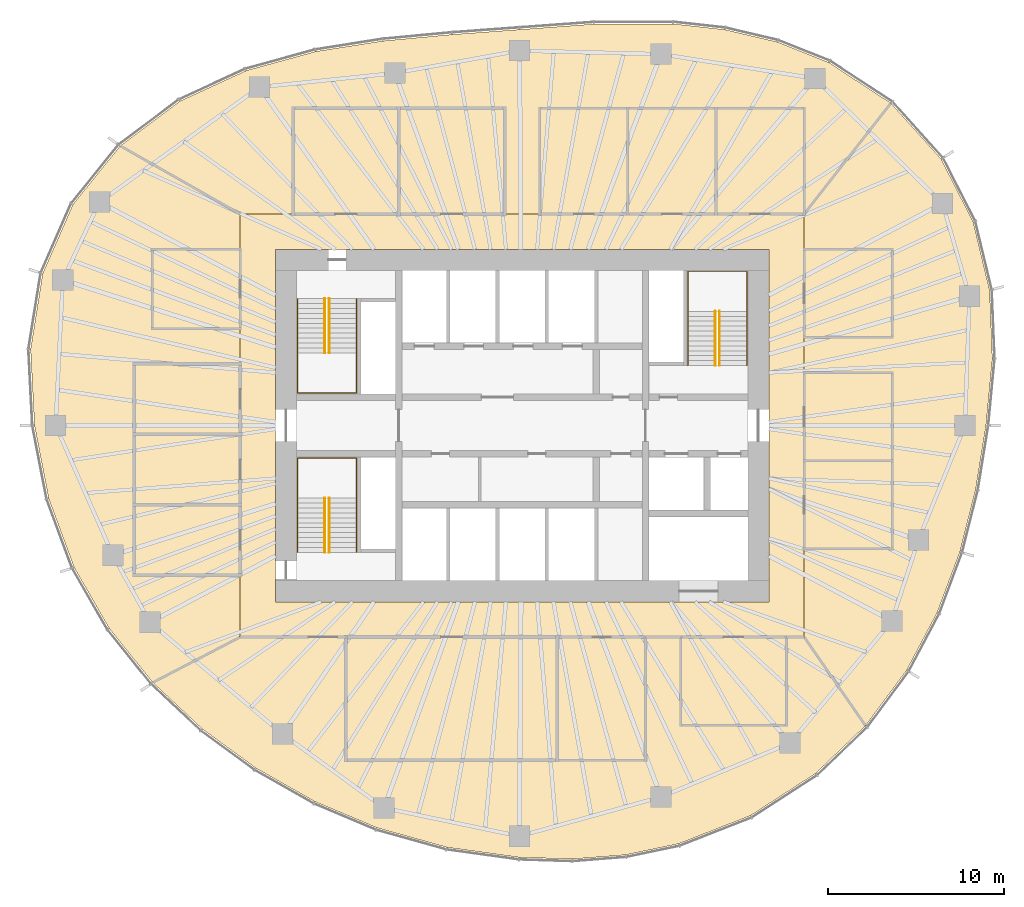
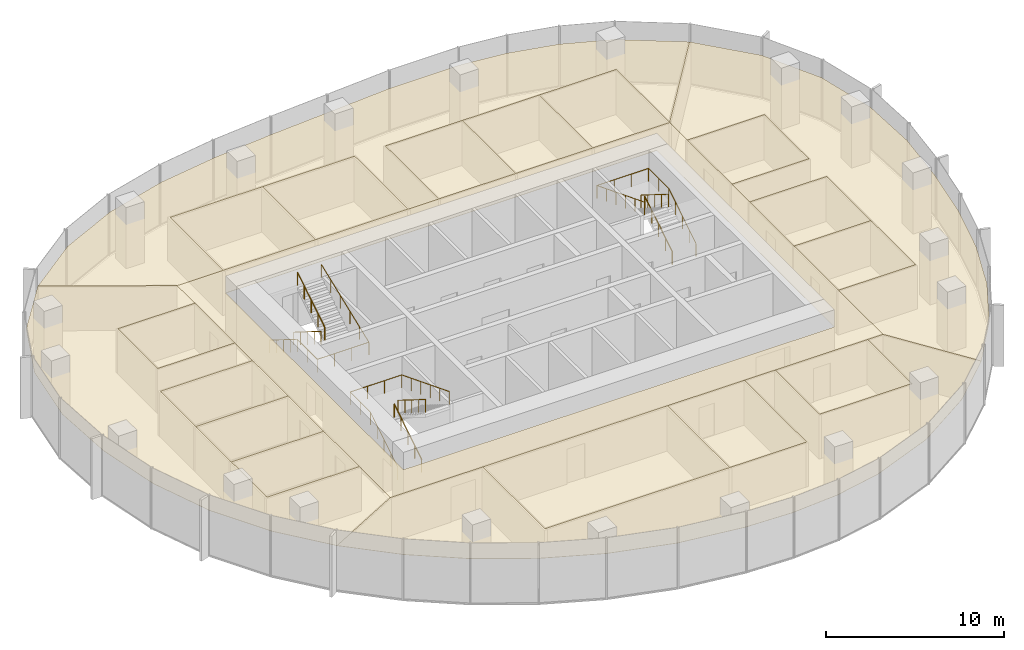
# One storey, part 11 of 11: 20 coverings, 9 railings.
"""IFC4 building model written with IfcOpenShell, lengths in metres."""

from ifc_helpers import new_model, si_unit, direction, frame, origin, origin_2d, place, context, subcontext, project, spatial, polyline, circle, outline, extrude, material, layer, layer_set, type_object, element, save


model = new_model("IFC4")

# Units and contexts
model_context = context("Model", 3, precision=1e-05, world=origin(), true_north=direction((0.0, 1.0)))
body_context = subcontext(model_context, "Body", "Model", "MODEL_VIEW")
ifc_project = project(units=[si_unit("LENGTHUNIT", "METRE"), si_unit("AREAUNIT", "SQUARE_METRE"), si_unit("VOLUMEUNIT", "CUBIC_METRE"), si_unit("PLANEANGLEUNIT", "RADIAN"), si_unit("MASSUNIT", "GRAM", prefix="KILO")], contexts=[model_context])

# Site, building, storey
site_placement = place(None, origin())
site = spatial("IfcSite", under=ifc_project, at=site_placement, CompositionType="ELEMENT")
building_placement = place(site_placement, origin())
building = spatial("IfcBuilding", under=site, at=building_placement, Name="Ghaith Harvest Tower", CompositionType="ELEMENT")
storey_placement = place(building_placement, frame((0.0, 0.0, 245.199951171875)))
storey = spatial("IfcBuildingStorey", under=building, at=storey_placement, Name="L54", CompositionType="ELEMENT", Elevation=245.199951171875)

# Coverings
ifc_material_1 = material(Name="Mineral fibre ceiling tile", Category="gypsum")
ifc_layer = layer(ifc_material_1, 0.02001953125)
ifc_layer_set = layer_set([ifc_layer], Name="CEILING C1")
covering_type = type_object("IfcCoveringType", Name="CEILING C1", PredefinedType="CEILING", material=ifc_layer_set)
covering_1_placement = place(storey_placement, frame((0.0, 0.0, 3.0)))
element("IfcCovering", 1, at=covering_1_placement, inside=storey, type_object=covering_type, Name="Ceiling L54-01", PredefinedType="CEILING", context=body_context, shape_type="SweptSolid", body=[
    extrude(outline(polyline([(-10.0, -19.0), (2.0, -19.0), (2.0, -12.0), (-10.0, -12.0), (-10.0, -19.0)])), origin(), (0.0, 0.0, 1.0), 0.02001953125),
])
covering_2_placement = place(storey_placement, frame((0.0, 0.0, 3.0)))
element("IfcCovering", 2, at=covering_2_placement, inside=storey, type_object=covering_type, Name="Ceiling L54-02", PredefinedType="CEILING", context=body_context, shape_type="SweptSolid", body=[
    extrude(outline(polyline([(2.0, -19.0), (7.0, -19.0), (7.0, -12.0), (2.0, -12.0), (2.0, -19.0)])), origin(), (0.0, 0.0, 1.0), 0.02001953125),
])
covering_3_placement = place(storey_placement, frame((0.0, 0.0, 3.0)))
element("IfcCovering", 3, at=covering_3_placement, inside=storey, type_object=covering_type, Name="Ceiling L54-03", PredefinedType="CEILING", context=body_context, shape_type="SweptSolid", body=[
    extrude(outline(polyline([(-22.0, -8.5), (-16.0, -8.5), (-16.0, -4.5), (-22.0, -4.5), (-22.0, -8.5)])), origin(), (0.0, 0.0, 1.0), 0.02001953125),
])
covering_4_placement = place(storey_placement, frame((0.0, 0.0, 3.0)))
element("IfcCovering", 4, at=covering_4_placement, inside=storey, type_object=covering_type, Name="Ceiling L54-04", PredefinedType="CEILING", context=body_context, shape_type="SweptSolid", body=[
    extrude(outline(polyline([(-22.0, -4.5), (-16.0, -4.5), (-16.0, -0.5), (-22.0, -0.5), (-22.0, -4.5)])), origin(), (0.0, 0.0, 1.0), 0.02001953125),
])
covering_5_placement = place(storey_placement, frame((0.0, 0.0, 3.0)))
element("IfcCovering", 5, at=covering_5_placement, inside=storey, type_object=covering_type, Name="Ceiling L54-05", PredefinedType="CEILING", context=body_context, shape_type="SweptSolid", body=[
    extrude(outline(polyline([(-22.0, -0.5), (-16.0, -0.5), (-16.0, 3.5), (-22.0, 3.5), (-22.0, -0.5)])), origin(), (0.0, 0.0, 1.0), 0.02001953125),
])
covering_6_placement = place(storey_placement, frame((0.0, 0.0, 3.0)))
element("IfcCovering", 6, at=covering_6_placement, inside=storey, type_object=covering_type, Name="Ceiling L54-06", PredefinedType="CEILING", context=body_context, shape_type="SweptSolid", body=[
    extrude(outline(polyline([(-13.0, 12.0), (-7.0, 12.0), (-7.0, 18.0), (-13.0, 18.0), (-13.0, 12.0)])), origin(), (0.0, 0.0, 1.0), 0.02001953125),
])
covering_7_placement = place(storey_placement, frame((0.0, 0.0, 3.0)))
element("IfcCovering", 7, at=covering_7_placement, inside=storey, type_object=covering_type, Name="Ceiling L54-07", PredefinedType="CEILING", context=body_context, shape_type="SweptSolid", body=[
    extrude(outline(polyline([(-7.0, 12.0), (-1.0, 12.0), (-1.0, 18.0), (-7.0, 18.0), (-7.0, 12.0)])), origin(), (0.0, 0.0, 1.0), 0.02001953125),
])
covering_8_placement = place(storey_placement, frame((0.0, 0.0, 3.0)))
element("IfcCovering", 8, at=covering_8_placement, inside=storey, type_object=covering_type, Name="Ceiling L54-08", PredefinedType="CEILING", context=body_context, shape_type="SweptSolid", body=[
    extrude(outline(polyline([(1.0, 12.0), (6.0, 12.0), (6.0, 18.0), (1.0, 18.0), (1.0, 12.0)])), origin(), (0.0, 0.0, 1.0), 0.02001953125),
])
covering_9_placement = place(storey_placement, frame((0.0, 0.0, 3.0)))
element("IfcCovering", 9, at=covering_9_placement, inside=storey, type_object=covering_type, Name="Ceiling L54-09", PredefinedType="CEILING", context=body_context, shape_type="SweptSolid", body=[
    extrude(outline(polyline([(6.0, 12.0), (11.0, 12.0), (11.0, 18.0), (6.0, 18.0), (6.0, 12.0)])), origin(), (0.0, 0.0, 1.0), 0.02001953125),
])
covering_10_placement = place(storey_placement, frame((0.0, 0.0, 3.0)))
element("IfcCovering", 10, at=covering_10_placement, inside=storey, type_object=covering_type, Name="Ceiling L54-10", PredefinedType="CEILING", context=body_context, shape_type="SweptSolid", body=[
    extrude(outline(polyline([(11.0, 12.0), (16.0, 12.0), (16.0, 18.0), (11.0, 18.0), (11.0, 12.0)])), origin(), (0.0, 0.0, 1.0), 0.02001953125),
])
covering_11_placement = place(storey_placement, frame((0.0, 0.0, 3.0)))
element("IfcCovering", 11, at=covering_11_placement, inside=storey, type_object=covering_type, Name="Ceiling L54-11", PredefinedType="CEILING", context=body_context, shape_type="SweptSolid", body=[
    extrude(outline(polyline([(16.0, -7.0), (21.0, -7.0), (21.0, -2.0), (16.0, -2.0), (16.0, -7.0)])), origin(), (0.0, 0.0, 1.0), 0.02001953125),
])
covering_12_placement = place(storey_placement, frame((0.0, 0.0, 3.0)))
element("IfcCovering", 12, at=covering_12_placement, inside=storey, type_object=covering_type, Name="Ceiling L54-12", PredefinedType="CEILING", context=body_context, shape_type="SweptSolid", body=[
    extrude(outline(polyline([(16.0, -2.0), (21.0, -2.0), (21.0, 3.0), (16.0, 3.0), (16.0, -2.0)])), origin(), (0.0, 0.0, 1.0), 0.02001953125),
])
covering_13_placement = place(storey_placement, frame((0.0, 0.0, 3.0)))
element("IfcCovering", 13, at=covering_13_placement, inside=storey, type_object=covering_type, Name="Ceiling L54-13", PredefinedType="CEILING", context=body_context, shape_type="SweptSolid", body=[
    extrude(outline(polyline([(9.0, -17.0), (15.0, -17.0), (15.0, -12.0), (9.0, -12.0), (9.0, -17.0)])), origin(), (0.0, 0.0, 1.0), 0.02001953125),
])
covering_14_placement = place(storey_placement, frame((0.0, 0.0, 3.0)))
element("IfcCovering", 14, at=covering_14_placement, inside=storey, type_object=covering_type, Name="Ceiling L54-14", PredefinedType="CEILING", context=body_context, shape_type="SweptSolid", body=[
    extrude(outline(polyline([(16.0, 5.0), (21.0, 5.0), (21.0, 10.0), (16.0, 10.0), (16.0, 5.0)])), origin(), (0.0, 0.0, 1.0), 0.02001953125),
])
covering_15_placement = place(storey_placement, frame((0.0, 0.0, 3.0)))
element("IfcCovering", 15, at=covering_15_placement, inside=storey, type_object=covering_type, Name="Ceiling L54-15", PredefinedType="CEILING", context=body_context, shape_type="SweptSolid", body=[
    extrude(outline(polyline([(-21.0, 5.5), (-16.0, 5.5), (-16.0, 10.0), (-21.0, 10.0), (-21.0, 5.5)])), origin(), (0.0, 0.0, 1.0), 0.02001953125),
])
covering_16_placement = place(storey_placement, frame((0.0, 0.0, 3.0)))
element("IfcCovering", 16, at=covering_16_placement, inside=storey, type_object=covering_type, Name="Ceiling L54-C1", PredefinedType="CEILING", context=body_context, shape_type="SweptSolid", body=[
    extrude(outline(polyline([(16.0, -12.0), (-16.0, -12.0), (-16.0, 12.0), (16.0, 12.0), (16.0, -12.0)]), holes=[polyline([(14.0, -10.0), (14.0, 10.0), (-14.0, 10.0), (-14.0, -10.0), (14.0, -10.0)])]), origin(), (0.0, 0.0, 1.0), 0.02001953125),
])
covering_17_placement = place(storey_placement, frame((0.0, 0.0, 3.0)))
element("IfcCovering", 17, at=covering_17_placement, inside=storey, type_object=covering_type, Name="Ceiling L54-N1", PredefinedType="CEILING", context=body_context, shape_type="SweptSolid", body=[
    extrude(outline(polyline([(-19.408203125, 18.41650390625), (-15.6474609375, 20.147705078125), (-11.694580078125, 21.2314453125), (-7.8837890625, 21.827880859375), (-3.963134765625, 22.192138671875), (-0.15380859375, 22.470458984375), (4.03857421875, 22.78125), (8.522216796875, 22.796875), (11.47265625, 22.47265625), (14.460693359375, 21.771484375), (17.382080078125, 20.612548828125), (20.923095703125, 18.295166015625), (16.0, 12.0), (16.0, 18.0), (1.0, 18.0), (1.0, 12.0), (-1.0, 12.0), (-1.0, 18.0), (-13.0, 18.0), (-13.0, 12.0), (-16.0, 12.0), (-22.809814453125, 15.87109375), (-19.408203125, 18.41650390625)])), origin(), (0.0, 0.0, 1.0), 0.02001953125),
])
covering_18_placement = place(storey_placement, frame((0.0, 0.0, 3.0)))
element("IfcCovering", 18, at=covering_18_placement, inside=storey, type_object=covering_type, Name="Ceiling L54-E1", PredefinedType="CEILING", context=body_context, shape_type="SweptSolid", body=[
    extrude(outline(polyline([(23.77294921875, 15.12939453125), (25.597900390625, 11.55615234375), (26.531005859375, 7.668212890625), (26.685791015625, 3.779052734375), (26.324951171875, 0.0), (25.734375, -3.644287109375), (24.840576171875, -7.179443359375), (23.548828125, -10.631103515625), (21.821533203125, -13.887451171875), (19.48388671875, -17.036865234375), (16.0, -12.0), (16.0, -7.0), (21.0, -7.0), (21.0, 3.0), (16.0, 3.0), (16.0, 5.0), (21.0, 5.0), (21.0, 10.0), (16.0, 10.0), (16.0, 12.0), (20.923095703125, 18.295166015625), (23.77294921875, 15.12939453125)])), origin(), (0.0, 0.0, 1.0), 0.02001953125),
])
covering_19_placement = place(storey_placement, frame((0.0, 0.0, 3.0)))
element("IfcCovering", 19, at=covering_19_placement, inside=storey, type_object=covering_type, Name="Ceiling L54-S1", PredefinedType="CEILING", context=body_context, shape_type="SweptSolid", body=[
    extrude(outline(polyline([(16.651611328125, -19.746337890625), (12.949462890625, -22.1435546875), (8.8740234375, -23.73779296875), (5.865234375, -24.3662109375), (2.833984375, -24.602294921875), (-0.167724609375, -24.505126953125), (-4.27490234375, -23.9375), (-8.2451171875, -22.82861328125), (-11.75732421875, -21.345703125), (-15.10400390625, -19.447998046875), (-18.15087890625, -17.223388671875), (-20.963134765625, -14.586181640625), (-16.0, -12.0), (-10.0, -12.0), (-10.0, -19.0), (7.0, -19.0), (7.0, -12.0), (9.0, -12.0), (9.0, -17.0), (15.0, -17.0), (15.0, -12.0), (16.0, -12.0), (19.48388671875, -17.036865234375), (16.651611328125, -19.746337890625)])), origin(), (0.0, 0.0, 1.0), 0.02001953125),
])
covering_20_placement = place(storey_placement, frame((0.0, 0.0, 3.0)))
element("IfcCovering", 20, at=covering_20_placement, inside=storey, type_object=covering_type, Name="Ceiling L54-W1", PredefinedType="CEILING", context=body_context, shape_type="SweptSolid", body=[
    extrude(outline(polyline([(-23.425537109375, -11.530517578125), (-25.424072265625, -8.057373046875), (-26.86669921875, -4.155517578125), (-27.675048828125, 0.0), (-27.897216796875, 4.314697265625), (-27.211181640625, 8.623779296875), (-25.491943359375, 12.547607421875), (-22.809814453125, 15.87109375), (-16.0, 12.0), (-16.0, 10.0), (-21.0, 10.0), (-21.0, 5.5), (-16.0, 5.5), (-16.0, 3.5), (-22.0, 3.5), (-22.0, -8.5), (-16.0, -8.5), (-16.0, -12.0), (-20.963134765625, -14.586181640625), (-23.425537109375, -11.530517578125)])), origin(), (0.0, 0.0, 1.0), 0.02001953125),
])

# Railings
ifc_material_2 = material(Name="Steel, black powder-coated", Category="steel")
railing_type = type_object("IfcRailingType", Name="HANDRAIL HR1", PredefinedType="HANDRAIL", material=ifc_material_2)
railing_1_placement = place(storey_placement, frame((-11.199951171875, 7.199951171875, 0.175048828125)))
element("IfcRailing", 21, at=railing_1_placement, inside=storey, type_object=railing_type, Name="Handrail HR1 stair ST1 L54 flight 1 inner", PredefinedType="HANDRAIL", context=body_context, shape_type="SweptSolid", body=[
    extrude(circle(Radius=0.02392578125, at=origin_2d()), frame((0.0, 0.0, 0.8759765625), z_axis=(0.0, -0.847979421464, 0.530029150871), x_axis=(1.0, 0.0, 0.0)), (0.0, 0.0, 1.0), 3.632080078125),
    extrude(circle(Radius=0.02099609375, at=origin_2d()), origin(), (0.0, 0.0, 1.0), 0.851806640625),
    extrude(circle(Radius=0.02099609375, at=origin_2d()), frame((0.0, -0.77001953125, 0.481201171875)), (0.0, 0.0, 1.0), 0.851806640625),
    extrude(circle(Radius=0.02099609375, at=origin_2d()), frame((0.0, -1.5400390625, 0.96240234375)), (0.0, 0.0, 1.0), 0.851806640625),
    extrude(circle(Radius=0.02099609375, at=origin_2d()), frame((0.0, -2.309814453125, 1.44384765625)), (0.0, 0.0, 1.0), 0.851806640625),
    extrude(circle(Radius=0.02099609375, at=origin_2d()), frame((0.0, -3.079833984375, 1.925048828125)), (0.0, 0.0, 1.0), 0.851806640625),
])
railing_2_placement = place(storey_placement, frame((-10.949951171875, 4.1201171875, 2.275146484375)))
element("IfcRailing", 22, at=railing_2_placement, inside=storey, type_object=railing_type, Name="Handrail HR1 stair ST1 L54 flight 2 inner", PredefinedType="HANDRAIL", context=body_context, shape_type="SweptSolid", body=[
    extrude(circle(Radius=0.02392578125, at=origin_2d()), frame((0.0, 0.0, 0.8759765625), z_axis=(0.0, 0.848009633417, 0.529980812513), x_axis=(-1.0, 0.0, 0.0)), (0.0, 0.0, 1.0), 3.6318359375),
    extrude(circle(Radius=0.02099609375, at=origin_2d()), origin(), (0.0, 0.0, 1.0), 0.851806640625),
    extrude(circle(Radius=0.02099609375, at=origin_2d()), frame((0.0, 0.77001953125, 0.481201171875)), (0.0, 0.0, 1.0), 0.851806640625),
    extrude(circle(Radius=0.02099609375, at=origin_2d()), frame((0.0, 1.5400390625, 0.96240234375)), (0.0, 0.0, 1.0), 0.851806640625),
    extrude(circle(Radius=0.02099609375, at=origin_2d()), frame((0.0, 2.309814453125, 1.443603515625)), (0.0, 0.0, 1.0), 0.851806640625),
    extrude(circle(Radius=0.02099609375, at=origin_2d()), frame((0.0, 3.079833984375, 1.9248046875)), (0.0, 0.0, 1.0), 0.851806640625),
])
railing_3_placement = place(storey_placement, frame((-12.75, 7.199951171875, 0.175048828125)))
element("IfcRailing", 23, at=railing_3_placement, inside=storey, type_object=railing_type, Name="Handrail HR1 stair ST1 L54 wall side", PredefinedType="HANDRAIL", context=body_context, shape_type="SweptSolid", body=[
    extrude(circle(Radius=0.02392578125, at=origin_2d()), frame((0.0, 0.0, 0.8759765625), z_axis=(0.0, -0.847979421464, 0.530029150871), x_axis=(1.0, 0.0, 0.0)), (0.0, 0.0, 1.0), 3.632080078125),
    extrude(circle(Radius=0.02392578125, at=origin_2d()), frame((0.0, -3.079833984375, 2.80078125), z_axis=(0.0, -1.0, 0.0), x_axis=(1.0, 0.0, 0.0)), (0.0, 0.0, 1.0), 2.27001953125),
    extrude(circle(Radius=0.02392578125, at=origin_2d()), frame((0.0, -5.349853515625, 2.80078125), z_axis=(1.0, 0.0, 0.0), x_axis=(0.0, 1.0, 0.0)), (0.0, 0.0, 1.0), 3.35009765625),
    extrude(circle(Radius=0.02392578125, at=origin_2d()), frame((3.35009765625, -5.349853515625, 2.80078125), z_axis=(0.0, 0.930862461605, 0.365369781968), x_axis=(-1.0, 0.0, 0.0)), (0.0, 0.0, 1.0), 5.747314453125),
    extrude(circle(Radius=0.02099609375, at=origin_2d()), origin(), (0.0, 0.0, 1.0), 0.851806640625),
    extrude(circle(Radius=0.02099609375, at=origin_2d()), frame((0.0, -0.77001953125, 0.481201171875)), (0.0, 0.0, 1.0), 0.851806640625),
    extrude(circle(Radius=0.02099609375, at=origin_2d()), frame((0.0, -1.5400390625, 0.96240234375)), (0.0, 0.0, 1.0), 0.851806640625),
    extrude(circle(Radius=0.02099609375, at=origin_2d()), frame((0.0, -2.309814453125, 1.44384765625)), (0.0, 0.0, 1.0), 0.851806640625),
    extrude(circle(Radius=0.02099609375, at=origin_2d()), frame((0.0, -3.079833984375, 1.925048828125)), (0.0, 0.0, 1.0), 0.851806640625),
    extrude(circle(Radius=0.02099609375, at=origin_2d()), frame((0.0, -4.21484375, 1.925048828125)), (0.0, 0.0, 1.0), 0.851806640625),
    extrude(circle(Radius=0.02099609375, at=origin_2d()), frame((0.0, -5.349853515625, 1.925048828125)), (0.0, 0.0, 1.0), 0.851806640625),
    extrude(circle(Radius=0.02099609375, at=origin_2d()), frame((1.11669921875, -5.349853515625, 1.925048828125)), (0.0, 0.0, 1.0), 0.851806640625),
    extrude(circle(Radius=0.02099609375, at=origin_2d()), frame((2.2333984375, -5.349853515625, 1.925048828125)), (0.0, 0.0, 1.0), 0.851806640625),
    extrude(circle(Radius=0.02099609375, at=origin_2d()), frame((3.35009765625, -5.349853515625, 1.925048828125)), (0.0, 0.0, 1.0), 0.851806640625),
    extrude(circle(Radius=0.02099609375, at=origin_2d()), frame((3.35009765625, -4.27978515625, 2.344970703125)), (0.0, 0.0, 1.0), 0.851806640625),
    extrude(circle(Radius=0.02099609375, at=origin_2d()), frame((3.35009765625, -3.2099609375, 2.764892578125)), (0.0, 0.0, 1.0), 0.851806640625),
    extrude(circle(Radius=0.02099609375, at=origin_2d()), frame((3.35009765625, -2.139892578125, 3.18505859375)), (0.0, 0.0, 1.0), 0.851806640625),
    extrude(circle(Radius=0.02099609375, at=origin_2d()), frame((3.35009765625, -1.070068359375, 3.60498046875)), (0.0, 0.0, 1.0), 0.851806640625),
    extrude(circle(Radius=0.02099609375, at=origin_2d()), frame((3.35009765625, 0.0, 4.02490234375)), (0.0, 0.0, 1.0), 0.851806640625),
])
railing_4_placement = place(storey_placement, frame((-11.199951171875, -7.199951171875, 0.175048828125)))
element("IfcRailing", 24, at=railing_4_placement, inside=storey, type_object=railing_type, Name="Handrail HR1 stair ST3 L54 flight 1 inner", PredefinedType="HANDRAIL", context=body_context, shape_type="SweptSolid", body=[
    extrude(circle(Radius=0.02392578125, at=origin_2d()), frame((0.0, 0.0, 0.8759765625), z_axis=(0.0, 0.847979421464, 0.530029150871), x_axis=(-1.0, 0.0, 0.0)), (0.0, 0.0, 1.0), 3.632080078125),
    extrude(circle(Radius=0.02099609375, at=origin_2d()), origin(), (0.0, 0.0, 1.0), 0.851806640625),
    extrude(circle(Radius=0.02099609375, at=origin_2d()), frame((0.0, 0.77001953125, 0.481201171875)), (0.0, 0.0, 1.0), 0.851806640625),
    extrude(circle(Radius=0.02099609375, at=origin_2d()), frame((0.0, 1.5400390625, 0.96240234375)), (0.0, 0.0, 1.0), 0.851806640625),
    extrude(circle(Radius=0.02099609375, at=origin_2d()), frame((0.0, 2.309814453125, 1.44384765625)), (0.0, 0.0, 1.0), 0.851806640625),
    extrude(circle(Radius=0.02099609375, at=origin_2d()), frame((0.0, 3.079833984375, 1.925048828125)), (0.0, 0.0, 1.0), 0.851806640625),
])
railing_5_placement = place(storey_placement, frame((-10.949951171875, -4.1201171875, 2.275146484375)))
element("IfcRailing", 25, at=railing_5_placement, inside=storey, type_object=railing_type, Name="Handrail HR1 stair ST3 L54 flight 2 inner", PredefinedType="HANDRAIL", context=body_context, shape_type="SweptSolid", body=[
    extrude(circle(Radius=0.02392578125, at=origin_2d()), frame((0.0, 0.0, 0.8759765625), z_axis=(0.0, -0.848009633417, 0.529980812513), x_axis=(1.0, 0.0, 0.0)), (0.0, 0.0, 1.0), 3.6318359375),
    extrude(circle(Radius=0.02099609375, at=origin_2d()), origin(), (0.0, 0.0, 1.0), 0.851806640625),
    extrude(circle(Radius=0.02099609375, at=origin_2d()), frame((0.0, -0.77001953125, 0.481201171875)), (0.0, 0.0, 1.0), 0.851806640625),
    extrude(circle(Radius=0.02099609375, at=origin_2d()), frame((0.0, -1.5400390625, 0.96240234375)), (0.0, 0.0, 1.0), 0.851806640625),
    extrude(circle(Radius=0.02099609375, at=origin_2d()), frame((0.0, -2.309814453125, 1.443603515625)), (0.0, 0.0, 1.0), 0.851806640625),
    extrude(circle(Radius=0.02099609375, at=origin_2d()), frame((0.0, -3.079833984375, 1.9248046875)), (0.0, 0.0, 1.0), 0.851806640625),
])
railing_6_placement = place(storey_placement, frame((-12.75, -7.199951171875, 0.175048828125)))
element("IfcRailing", 26, at=railing_6_placement, inside=storey, type_object=railing_type, Name="Handrail HR1 stair ST3 L54 wall side", PredefinedType="HANDRAIL", context=body_context, shape_type="SweptSolid", body=[
    extrude(circle(Radius=0.02392578125, at=origin_2d()), frame((0.0, 0.0, 0.8759765625), z_axis=(0.0, 0.847979421464, 0.530029150871), x_axis=(-1.0, 0.0, 0.0)), (0.0, 0.0, 1.0), 3.632080078125),
    extrude(circle(Radius=0.02392578125, at=origin_2d()), frame((0.0, 3.079833984375, 2.80078125), z_axis=(0.0, 1.0, 0.0), x_axis=(-1.0, 0.0, 0.0)), (0.0, 0.0, 1.0), 2.27001953125),
    extrude(circle(Radius=0.02392578125, at=origin_2d()), frame((0.0, 5.349853515625, 2.80078125), z_axis=(1.0, 0.0, 0.0), x_axis=(0.0, 1.0, 0.0)), (0.0, 0.0, 1.0), 3.35009765625),
    extrude(circle(Radius=0.02392578125, at=origin_2d()), frame((3.35009765625, 5.349853515625, 2.80078125), z_axis=(0.0, -0.930862461605, 0.365369781968), x_axis=(1.0, 0.0, 0.0)), (0.0, 0.0, 1.0), 5.747314453125),
    extrude(circle(Radius=0.02099609375, at=origin_2d()), origin(), (0.0, 0.0, 1.0), 0.851806640625),
    extrude(circle(Radius=0.02099609375, at=origin_2d()), frame((0.0, 0.77001953125, 0.481201171875)), (0.0, 0.0, 1.0), 0.851806640625),
    extrude(circle(Radius=0.02099609375, at=origin_2d()), frame((0.0, 1.5400390625, 0.96240234375)), (0.0, 0.0, 1.0), 0.851806640625),
    extrude(circle(Radius=0.02099609375, at=origin_2d()), frame((0.0, 2.309814453125, 1.44384765625)), (0.0, 0.0, 1.0), 0.851806640625),
    extrude(circle(Radius=0.02099609375, at=origin_2d()), frame((0.0, 3.079833984375, 1.925048828125)), (0.0, 0.0, 1.0), 0.851806640625),
    extrude(circle(Radius=0.02099609375, at=origin_2d()), frame((0.0, 4.21484375, 1.925048828125)), (0.0, 0.0, 1.0), 0.851806640625),
    extrude(circle(Radius=0.02099609375, at=origin_2d()), frame((0.0, 5.349853515625, 1.925048828125)), (0.0, 0.0, 1.0), 0.851806640625),
    extrude(circle(Radius=0.02099609375, at=origin_2d()), frame((1.11669921875, 5.349853515625, 1.925048828125)), (0.0, 0.0, 1.0), 0.851806640625),
    extrude(circle(Radius=0.02099609375, at=origin_2d()), frame((2.2333984375, 5.349853515625, 1.925048828125)), (0.0, 0.0, 1.0), 0.851806640625),
    extrude(circle(Radius=0.02099609375, at=origin_2d()), frame((3.35009765625, 5.349853515625, 1.925048828125)), (0.0, 0.0, 1.0), 0.851806640625),
    extrude(circle(Radius=0.02099609375, at=origin_2d()), frame((3.35009765625, 4.27978515625, 2.344970703125)), (0.0, 0.0, 1.0), 0.851806640625),
    extrude(circle(Radius=0.02099609375, at=origin_2d()), frame((3.35009765625, 3.2099609375, 2.764892578125)), (0.0, 0.0, 1.0), 0.851806640625),
    extrude(circle(Radius=0.02099609375, at=origin_2d()), frame((3.35009765625, 2.139892578125, 3.18505859375)), (0.0, 0.0, 1.0), 0.851806640625),
    extrude(circle(Radius=0.02099609375, at=origin_2d()), frame((3.35009765625, 1.070068359375, 3.60498046875)), (0.0, 0.0, 1.0), 0.851806640625),
    extrude(circle(Radius=0.02099609375, at=origin_2d()), frame((3.35009765625, 0.0, 4.02490234375)), (0.0, 0.0, 1.0), 0.851806640625),
])
railing_7_placement = place(storey_placement, frame((11.199951171875, 3.39990234375, 0.175048828125)))
element("IfcRailing", 27, at=railing_7_placement, inside=storey, type_object=railing_type, Name="Handrail HR1 stair ST2 L54 flight 1 inner", PredefinedType="HANDRAIL", context=body_context, shape_type="SweptSolid", body=[
    extrude(circle(Radius=0.02392578125, at=origin_2d()), frame((0.0, 0.0, 0.8759765625), z_axis=(0.0, 0.847998304005, 0.529998940003), x_axis=(-1.0, 0.0, 0.0)), (0.0, 0.0, 1.0), 3.632080078125),
    extrude(circle(Radius=0.02099609375, at=origin_2d()), origin(), (0.0, 0.0, 1.0), 0.851806640625),
    extrude(circle(Radius=0.02099609375, at=origin_2d()), frame((0.0, 0.77001953125, 0.481201171875)), (0.0, 0.0, 1.0), 0.851806640625),
    extrude(circle(Radius=0.02099609375, at=origin_2d()), frame((0.0, 1.5400390625, 0.96240234375)), (0.0, 0.0, 1.0), 0.851806640625),
    extrude(circle(Radius=0.02099609375, at=origin_2d()), frame((0.0, 2.31005859375, 1.44384765625)), (0.0, 0.0, 1.0), 0.851806640625),
    extrude(circle(Radius=0.02099609375, at=origin_2d()), frame((0.0, 3.080078125, 1.925048828125)), (0.0, 0.0, 1.0), 0.851806640625),
])
railing_8_placement = place(storey_placement, frame((10.949951171875, 6.47998046875, 2.275146484375)))
element("IfcRailing", 28, at=railing_8_placement, inside=storey, type_object=railing_type, Name="Handrail HR1 stair ST2 L54 flight 2 inner", PredefinedType="HANDRAIL", context=body_context, shape_type="SweptSolid", body=[
    extrude(circle(Radius=0.02392578125, at=origin_2d()), frame((0.0, 0.0, 0.8759765625), z_axis=(0.0, -0.848028513186, 0.529950602248), x_axis=(1.0, 0.0, 0.0)), (0.0, 0.0, 1.0), 3.632080078125),
    extrude(circle(Radius=0.02099609375, at=origin_2d()), origin(), (0.0, 0.0, 1.0), 0.851806640625),
    extrude(circle(Radius=0.02099609375, at=origin_2d()), frame((0.0, -0.77001953125, 0.481201171875)), (0.0, 0.0, 1.0), 0.851806640625),
    extrude(circle(Radius=0.02099609375, at=origin_2d()), frame((0.0, -1.5400390625, 0.96240234375)), (0.0, 0.0, 1.0), 0.851806640625),
    extrude(circle(Radius=0.02099609375, at=origin_2d()), frame((0.0, -2.31005859375, 1.443603515625)), (0.0, 0.0, 1.0), 0.851806640625),
    extrude(circle(Radius=0.02099609375, at=origin_2d()), frame((0.0, -3.080078125, 1.9248046875)), (0.0, 0.0, 1.0), 0.851806640625),
])
railing_9_placement = place(storey_placement, frame((12.75, 3.39990234375, 0.175048828125)))
element("IfcRailing", 29, at=railing_9_placement, inside=storey, type_object=railing_type, Name="Handrail HR1 stair ST2 L54 wall side", PredefinedType="HANDRAIL", context=body_context, shape_type="SweptSolid", body=[
    extrude(circle(Radius=0.02392578125, at=origin_2d()), frame((0.0, 0.0, 0.8759765625), z_axis=(0.0, 0.847998304005, 0.529998940003), x_axis=(-1.0, 0.0, 0.0)), (0.0, 0.0, 1.0), 3.632080078125),
    extrude(circle(Radius=0.02392578125, at=origin_2d()), frame((0.0, 3.080078125, 2.80078125), z_axis=(0.0, 1.0, 0.0), x_axis=(-1.0, 0.0, 0.0)), (0.0, 0.0, 1.0), 2.27001953125),
    extrude(circle(Radius=0.02392578125, at=origin_2d()), frame((0.0, 5.35009765625, 2.80078125), z_axis=(-1.0, 0.0, 0.0), x_axis=(0.0, -1.0, 0.0)), (0.0, 0.0, 1.0), 3.35009765625),
    extrude(circle(Radius=0.02392578125, at=origin_2d()), frame((-3.35009765625, 5.35009765625, 2.80078125), z_axis=(0.0, -0.930868132128, 0.365355334692), x_axis=(1.0, 0.0, 0.0)), (0.0, 0.0, 1.0), 5.747314453125),
    extrude(circle(Radius=0.02099609375, at=origin_2d()), origin(), (0.0, 0.0, 1.0), 0.851806640625),
    extrude(circle(Radius=0.02099609375, at=origin_2d()), frame((0.0, 0.77001953125, 0.481201171875)), (0.0, 0.0, 1.0), 0.851806640625),
    extrude(circle(Radius=0.02099609375, at=origin_2d()), frame((0.0, 1.5400390625, 0.96240234375)), (0.0, 0.0, 1.0), 0.851806640625),
    extrude(circle(Radius=0.02099609375, at=origin_2d()), frame((0.0, 2.31005859375, 1.44384765625)), (0.0, 0.0, 1.0), 0.851806640625),
    extrude(circle(Radius=0.02099609375, at=origin_2d()), frame((0.0, 3.080078125, 1.925048828125)), (0.0, 0.0, 1.0), 0.851806640625),
    extrude(circle(Radius=0.02099609375, at=origin_2d()), frame((0.0, 4.215087890625, 1.925048828125)), (0.0, 0.0, 1.0), 0.851806640625),
    extrude(circle(Radius=0.02099609375, at=origin_2d()), frame((0.0, 5.35009765625, 1.925048828125)), (0.0, 0.0, 1.0), 0.851806640625),
    extrude(circle(Radius=0.02099609375, at=origin_2d()), frame((-1.11669921875, 5.35009765625, 1.925048828125)), (0.0, 0.0, 1.0), 0.851806640625),
    extrude(circle(Radius=0.02099609375, at=origin_2d()), frame((-2.2333984375, 5.35009765625, 1.925048828125)), (0.0, 0.0, 1.0), 0.851806640625),
    extrude(circle(Radius=0.02099609375, at=origin_2d()), frame((-3.35009765625, 5.35009765625, 1.925048828125)), (0.0, 0.0, 1.0), 0.851806640625),
    extrude(circle(Radius=0.02099609375, at=origin_2d()), frame((-3.35009765625, 4.280029296875, 2.344970703125)), (0.0, 0.0, 1.0), 0.851806640625),
    extrude(circle(Radius=0.02099609375, at=origin_2d()), frame((-3.35009765625, 3.2099609375, 2.764892578125)), (0.0, 0.0, 1.0), 0.851806640625),
    extrude(circle(Radius=0.02099609375, at=origin_2d()), frame((-3.35009765625, 2.14013671875, 3.18505859375)), (0.0, 0.0, 1.0), 0.851806640625),
    extrude(circle(Radius=0.02099609375, at=origin_2d()), frame((-3.35009765625, 1.070068359375, 3.60498046875)), (0.0, 0.0, 1.0), 0.851806640625),
    extrude(circle(Radius=0.02099609375, at=origin_2d()), frame((-3.35009765625, 0.0, 4.02490234375)), (0.0, 0.0, 1.0), 0.851806640625),
])

save(model, "model.ifc")
